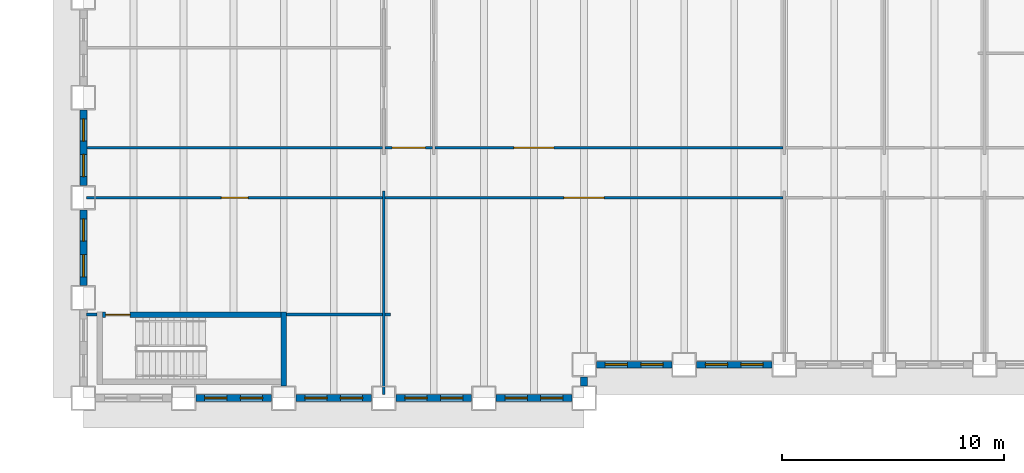
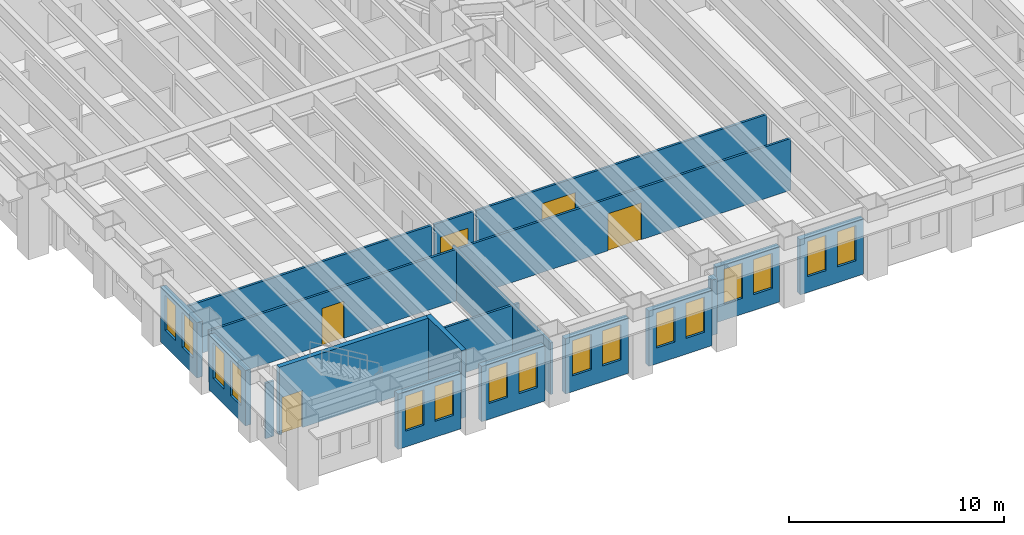
# One storey, part 3 of 15: 20 walls, 16 windows, 5 doors, 21 openings.
"""IFC4 building model written with IfcOpenShell, lengths in metres."""

import ifcopenshell
import ifcopenshell.guid

model = None  # the IFC model being written
_history = None  # IfcOwnerHistory: only IFC2X3 demands one
_inside = {}  # id of a spatial element -> (the spatial element, [elements in it])
_under = {}  # id of a project, library or spatial element -> (it, [spatial elements below it])
_declared = {}  # id of a project -> (the project, [libraries it declares])
_typed = {}  # id of a type object -> (the type object, [elements of that type])
_made_of = {}  # id of a material, layer set ... -> (it, [elements and type objects made of it])


def new_model(schema):
    """Start an empty IFC model of exactly this schema.

    Asked for "IFC4X3", IfcOpenShell would pick the latest addendum, in which some entities
    have other attributes; the version numbers below select the first issue.
    IFC2X3 requires an IfcOwnerHistory on every rooted entity: one is made here for all.
    """
    global model, _history
    if schema == "IFC4X3":
        model = ifcopenshell.file(schema_version=(4, 3, 0, 0))
    else:
        model = ifcopenshell.file(schema=schema)
    _inside.clear()
    _under.clear()
    _declared.clear()
    _typed.clear()
    _made_of.clear()
    _history = None
    if model.schema == "IFC2X3":
        org = make("IfcOrganization", Name="unknown")
        user = make(
            "IfcPersonAndOrganization",
            ThePerson=make("IfcPerson", FamilyName="unknown"),
            TheOrganization=org,
        )
        app = make(
            "IfcApplication",
            ApplicationDeveloper=org,
            Version="unknown",
            ApplicationFullName="unknown",
            ApplicationIdentifier="unknown",
        )
        _history = make(
            "IfcOwnerHistory",
            OwningUser=user,
            OwningApplication=app,
            ChangeAction="ADDED",
            CreationDate=0,
        )
    return model


def make(cls, **values):
    """One entity of the class cls with the attributes given. An attribute that is None is left unset."""
    return model.create_entity(
        cls, **{name: value for name, value in values.items() if value is not None}
    )


def rooted(cls, **values):
    """An entity with a GlobalId (a new one), such as an element, a storey or a relation."""
    return make(cls, GlobalId=ifcopenshell.guid.new(), OwnerHistory=_history, **values)


def si_unit(unit_type, name, prefix=None):
    """IfcSIUnit, for example si_unit("LENGTHUNIT", "METRE", prefix="MILLI")."""
    return make("IfcSIUnit", UnitType=unit_type, Prefix=prefix, Name=name)


def assignment(units):
    """IfcUnitAssignment: the units of a project."""
    return None if units is None else make("IfcUnitAssignment", Units=units)


def point(xyz):
    """IfcCartesianPoint."""
    return None if xyz is None else make("IfcCartesianPoint", Coordinates=xyz)


def direction(xyz):
    """IfcDirection."""
    return None if xyz is None else make("IfcDirection", DirectionRatios=xyz)


def frame(location, z_axis=None, x_axis=None):
    """IfcAxis2Placement3D, a coordinate frame: its origin and axes. An axis left out is left unset."""
    return make(
        "IfcAxis2Placement3D",
        Location=point(location),
        Axis=direction(z_axis),
        RefDirection=direction(x_axis),
    )


def frame_2d(location, x_axis=None):
    """IfcAxis2Placement2D, a coordinate frame in the plane: its origin and x axis."""
    return make(
        "IfcAxis2Placement2D", Location=point(location), RefDirection=direction(x_axis)
    )


def origin():
    """The frame at (0, 0, 0) with its axes left unset."""
    return frame((0.0, 0.0, 0.0))


def place(relative_to, where):
    """IfcLocalPlacement: puts the frame where relative to a parent placement (None: the world)."""
    return make(
        "IfcLocalPlacement", PlacementRelTo=relative_to, RelativePlacement=where
    )


def context(
    kind, dimensions, precision=None, world=None, true_north=None, identifier=None
):
    """IfcGeometricRepresentationContext, for example the 3D "Model" context."""
    return make(
        "IfcGeometricRepresentationContext",
        ContextIdentifier=identifier,
        ContextType=kind,
        CoordinateSpaceDimension=dimensions,
        Precision=precision,
        WorldCoordinateSystem=world,
        TrueNorth=true_north,
    )


def subcontext(parent, identifier, kind, view, scale=None):
    """IfcGeometricRepresentationSubContext, for example "Body" below "Model"."""
    return make(
        "IfcGeometricRepresentationSubContext",
        ContextIdentifier=identifier,
        ContextType=kind,
        ParentContext=parent,
        TargetScale=scale,
        TargetView=view,
    )


def project(units=None, contexts=None):
    """IfcProject with its units and contexts."""
    return rooted(
        "IfcProject",
        Name="project",
        RepresentationContexts=contexts,
        UnitsInContext=assignment(units),
    )


def spatial(cls, under=None, at=None, **own):
    """A site, building, storey or space (cls), placed at a placement, below another one or the project."""
    s = rooted(cls, ObjectPlacement=at, **own)
    if under is not None:
        _under.setdefault(under.id(), (under, []))[1].append(s)
    return s


def profile(cls, at=None, kind="AREA", **sizes):
    """A parametric profile (cls). Its sizes go by their IFC names, for example OverallWidth=200.0."""
    return make(cls, ProfileType=kind, Position=at, **sizes)


def rectangle(**sizes):
    """IfcRectangleProfileDef."""
    return profile("IfcRectangleProfileDef", **sizes)


def extrude(swept, where, along, depth):
    """IfcExtrudedAreaSolid: the profile swept, set in the frame where, extruded along a direction by depth."""
    return make(
        "IfcExtrudedAreaSolid",
        SweptArea=swept,
        Position=where,
        ExtrudedDirection=direction(along),
        Depth=depth,
    )


def shape(context_of_items, identifier, shape_type, items):
    """IfcShapeRepresentation: the items that make up one representation, for example the "Body"."""
    return make(
        "IfcShapeRepresentation",
        ContextOfItems=context_of_items,
        RepresentationIdentifier=identifier,
        RepresentationType=shape_type,
        Items=items,
    )


def material(Name=None, Category=None):
    """IfcMaterial."""
    return make("IfcMaterial", Name=Name, Category=Category)


def layer(
    of_material, thickness, ventilated=None, Name=None, Category=None, Priority=None
):
    """IfcMaterialLayer: one layer of a wall or slab, of a material (None: an air gap)."""
    return make(
        "IfcMaterialLayer",
        Material=of_material,
        LayerThickness=thickness,
        IsVentilated=ventilated,
        Name=Name,
        Category=Category,
        Priority=Priority,
    )


def layer_set(layers, Name=None):
    """IfcMaterialLayerSet."""
    return make("IfcMaterialLayerSet", MaterialLayers=layers, LayerSetName=Name)


def made_of(thing, what):
    """Note that an element or type object is made of a material, layer set ...; save() writes the relation."""
    if what is not None:
        _made_of.setdefault(what.id(), (what, []))[1].append(thing)
    return thing


def type_object(cls, material=None, **own):
    """A type object (cls), such as IfcWallType, which elements share."""
    return made_of(rooted(cls, **own), material)


def element(
    cls,
    number,
    at=None,
    inside=None,
    cuts=None,
    type_object=None,
    material=None,
    context=None,
    identifier="Body",
    shape_type=None,
    held_by="IfcProductDefinitionShape",
    body=None,
    shapes=None,
    **own,
):
    """One element of the class cls, such as IfcWall. Its Tag is "e" and its number.

    at: its placement. inside: the storey or other place that contains it. cuts: it is an
    opening in that element (IfcRelVoidsElement). A single representation is given by context,
    identifier, shape_type and body (its items); several are given by shapes. held_by: the class
    of the entity that holds the representations. save() writes the other relations.
    """
    e = rooted(cls, Tag="e%d" % number, ObjectPlacement=at, **own)
    if body is not None:
        shapes = [shape(context, identifier, shape_type, body)]
    if shapes is not None:
        e.Representation = make(held_by, Representations=shapes)
    if inside is not None:
        _inside.setdefault(inside.id(), (inside, []))[1].append(e)
    if cuts is not None:
        rooted(
            "IfcRelVoidsElement", RelatingBuildingElement=cuts, RelatedOpeningElement=e
        )
    if type_object is not None:
        _typed.setdefault(type_object.id(), (type_object, []))[1].append(e)
    return made_of(e, material)


def fill(opening, filler):
    """IfcRelFillsElement: the door or window that sits in an opening."""
    return rooted(
        "IfcRelFillsElement",
        RelatingOpeningElement=opening,
        RelatedBuildingElement=filler,
    )


def aggregate(whole, parts):
    """IfcRelAggregates: a whole, such as a stair, and the parts it consists of."""
    return rooted("IfcRelAggregates", RelatingObject=whole, RelatedObjects=parts)


def save(model, path):
    """Write the relations noted so far, then the file.

    IfcRelAggregates (storeys below a building ...), IfcRelContainedInSpatialStructure (elements
    in a storey), IfcRelDefinesByType, IfcRelAssociatesMaterial and IfcRelDeclares: one each for
    every whole, place, type object, material and project.
    """
    for whole, parts in _under.values():
        aggregate(whole, parts)
    for where, things in _inside.values():
        rooted(
            "IfcRelContainedInSpatialStructure",
            RelatedElements=things,
            RelatingStructure=where,
        )
    for kind, things in _typed.values():
        rooted("IfcRelDefinesByType", RelatedObjects=things, RelatingType=kind)
    for what, things in _made_of.values():
        rooted("IfcRelAssociatesMaterial", RelatedObjects=things, RelatingMaterial=what)
    for by, libraries in _declared.values():
        rooted("IfcRelDeclares", RelatingContext=by, RelatedDefinitions=libraries)
    model.write(path)


model = new_model("IFC4")

# Units and contexts
model_context = context("Model", 3, precision=1e-05, world=origin(), true_north=direction((0.0, 1.0)))
body_context = subcontext(model_context, "Body", "Model", "MODEL_VIEW")
ifc_project = project(units=[si_unit("LENGTHUNIT", "METRE"), si_unit("AREAUNIT", "SQUARE_METRE"), si_unit("VOLUMEUNIT", "CUBIC_METRE"), si_unit("PLANEANGLEUNIT", "RADIAN"), si_unit("MASSUNIT", "GRAM", prefix="KILO")], contexts=[model_context])

# Site, building, storey
site_placement = place(None, origin())
site = spatial("IfcSite", under=ifc_project, at=site_placement, CompositionType="ELEMENT")
building_placement = place(site_placement, origin())
building = spatial("IfcBuilding", under=site, at=building_placement, Name="Sennacour Bend Tower", CompositionType="ELEMENT")
storey_placement = place(building_placement, frame((0.0, 0.0, 61.0)))
storey = spatial("IfcBuildingStorey", under=building, at=storey_placement, Name="L13", CompositionType="ELEMENT", Elevation=61.0)

# Walls
ifc_material_1 = material(Name="Plasterboard partition on steel studs", Category="steel")
ifc_layer_1 = layer(ifc_material_1, 0.1201171875, Name="Plasterboard partition on steel studs", Category="steel")
ifc_layer_set_1 = layer_set([ifc_layer_1], Name="Plasterboard partition on steel studs")
wall_type_1 = type_object("IfcWallType", Name="Partition 120", PredefinedType="PARTITIONING", material=ifc_layer_set_1)
wall_1_placement = place(storey_placement, frame((13.5, 0.14990234375, 0.0), z_axis=(0.0, 0.0, 1.0), x_axis=(0.0, 1.0, 0.0)))
element("IfcWall", 1, at=wall_1_placement, inside=storey, type_object=wall_type_1, Name="P-L13-W012a", PredefinedType="PARTITIONING", context=body_context, shape_type="SweptSolid", body=[
    extrude(rectangle(XDim=9.150146484375, YDim=0.1201171875, at=frame_2d((4.5751953125, 0.0))), origin(), (0.0, 0.0, 1.0), 2.93798828125),
])
wall_2_placement = place(storey_placement, frame((0.14990234375, 3.75, 0.0), z_axis=(0.0, 0.0, 1.0), x_axis=(1.0, 0.0, 0.0)))
element("IfcWall", 2, at=wall_2_placement, inside=storey, type_object=wall_type_1, Name="P-L13-W045a", PredefinedType="PARTITIONING", context=body_context, shape_type="SweptSolid", body=[
    extrude(rectangle(XDim=0.4501953125, YDim=0.1201171875, at=frame_2d((0.22509765625, 0.0))), origin(), (0.0, 0.0, 1.0), 3.14404296875),
])
wall_3_placement = place(storey_placement, frame((9.125, 3.75, 0.0), z_axis=(0.0, 0.0, 1.0), x_axis=(1.0, 0.0, 0.0)))
element("IfcWall", 3, at=wall_3_placement, inside=storey, type_object=wall_type_1, Name="P-L13-W047aa", PredefinedType="PARTITIONING", context=body_context, shape_type="SweptSolid", body=[
    extrude(rectangle(XDim=4.31494140625, YDim=0.1201171875, at=frame_2d((2.157470703125, 0.0))), origin(), (0.0, 0.0, 1.0), 2.93798828125),
])
wall_4_placement = place(storey_placement, frame((13.56005859375, 3.75, 0.0), z_axis=(0.0, 0.0, 1.0), x_axis=(1.0, 0.0, 0.0)))
element("IfcWall", 4, at=wall_4_placement, inside=storey, type_object=wall_type_1, Name="P-L13-W047ab", PredefinedType="PARTITIONING", context=body_context, shape_type="SweptSolid", body=[
    extrude(rectangle(XDim=0.239990234375, YDim=0.1201171875, at=frame_2d((0.1201171875, 0.0))), origin(), (0.0, 0.0, 1.0), 2.93798828125),
])

# Wall, opening, door
wall_5_placement = place(storey_placement, frame((13.56005859375, 9.0, 0.0), z_axis=(0.0, 0.0, 1.0), x_axis=(1.0, 0.0, 0.0)))
wall_5 = element("IfcWall", 5, at=wall_5_placement, inside=storey, type_object=wall_type_1, Name="P-L13-W051ab", PredefinedType="PARTITIONING", context=body_context, shape_type="SweptSolid", body=[
    extrude(rectangle(XDim=17.8798828125, YDim=0.1201171875, at=frame_2d((8.93994140625, 0.0))), origin(), (0.0, 0.0, 1.0), 2.93798828125),
])
opening_1_placement = place(wall_5_placement, frame((8.039794921875, 0.0, 0.0)))
opening_1 = element("IfcOpeningElement", 6, at=opening_1_placement, cuts=wall_5, Name="Opening OD3", PredefinedType="OPENING", context=body_context, shape_type="SweptSolid", body=[
    extrude(rectangle(XDim=1.800048828125, YDim=2.10009765625, at=frame_2d((0.89990234375, 1.050048828125))), frame((0.0, 0.070068359375, 0.0), z_axis=(0.0, -1.0, 0.0), x_axis=(1.0, 0.0, 0.0)), (0.0, 0.0, 1.0), 0.14013671875),
])
ifc_material_2 = material(Name="Timber", Category="wood")
door_type_1 = type_object("IfcDoorType", Name="DR-OFFICE-1800", OperationType="NOTDEFINED", PredefinedType="DOOR", material=ifc_material_2)
door_1_placement = place(opening_1_placement, origin())
door_1 = element("IfcDoor", 7, at=door_1_placement, inside=storey, type_object=door_type_1, Name="Door", OperationType="DOUBLE_DOOR_SINGLE_SWING", OverallHeight=2.10009765625, OverallWidth=1.800048828125, PredefinedType="DOOR", context=body_context, shape_type="SweptSolid", body=[
    extrude(rectangle(XDim=1.800048828125, YDim=2.10009765625, at=frame_2d((0.89990234375, 1.050048828125))), frame((0.0, 0.02490234375, 0.0), z_axis=(0.0, -1.0, 0.0), x_axis=(1.0, 0.0, 0.0)), (0.0, 0.0, 1.0), 0.050048828125),
])
fill(opening_1, door_1)

# Wall
wall_6_placement = place(storey_placement, frame((0.14990234375, 11.25, 0.0), z_axis=(0.0, 0.0, 1.0), x_axis=(1.0, 0.0, 0.0)))
element("IfcWall", 8, at=wall_6_placement, inside=storey, type_object=wall_type_1, Name="P-L13-W053aa", PredefinedType="PARTITIONING", context=body_context, shape_type="SweptSolid", body=[
    extrude(rectangle(XDim=13.2900390625, YDim=0.1201171875, at=frame_2d((6.64501953125, 0.0))), origin(), (0.0, 0.0, 1.0), 2.93798828125),
])

# Wall, opening, door
wall_7_placement = place(storey_placement, frame((15.81005859375, 11.25, 0.0), z_axis=(0.0, 0.0, 1.0), x_axis=(1.0, 0.0, 0.0)))
wall_7 = element("IfcWall", 9, at=wall_7_placement, inside=storey, type_object=wall_type_1, Name="P-L13-W053ac", PredefinedType="PARTITIONING", context=body_context, shape_type="SweptSolid", body=[
    extrude(rectangle(XDim=15.6298828125, YDim=0.1201171875, at=frame_2d((7.81494140625, 0.0))), origin(), (0.0, 0.0, 1.0), 2.93798828125),
])
opening_2_placement = place(wall_7_placement, frame((3.539794921875, 0.0, 0.0)))
opening_2 = element("IfcOpeningElement", 10, at=opening_2_placement, cuts=wall_7, Name="Opening OD3", PredefinedType="OPENING", context=body_context, shape_type="SweptSolid", body=[
    extrude(rectangle(XDim=1.800048828125, YDim=2.10009765625, at=frame_2d((0.89990234375, 1.050048828125))), frame((0.0, 0.070068359375, 0.0), z_axis=(0.0, -1.0, 0.0), x_axis=(1.0, 0.0, 0.0)), (0.0, 0.0, 1.0), 0.14013671875),
])
door_2_placement = place(opening_2_placement, origin())
door_2 = element("IfcDoor", 11, at=door_2_placement, inside=storey, type_object=door_type_1, Name="Door", OperationType="DOUBLE_DOOR_SINGLE_SWING", OverallHeight=2.10009765625, OverallWidth=1.800048828125, PredefinedType="DOOR", context=body_context, shape_type="SweptSolid", body=[
    extrude(rectangle(XDim=1.800048828125, YDim=2.10009765625, at=frame_2d((0.89990234375, 1.050048828125))), frame((0.0, 0.02490234375, 0.0), z_axis=(0.0, -1.0, 0.0), x_axis=(1.0, 0.0, 0.0)), (0.0, 0.0, 1.0), 0.050048828125),
])
fill(opening_2, door_2)

ifc_layer_2 = layer(ifc_material_1, 0.1201171875, Name="Plasterboard partition on steel studs", Category="steel")
ifc_layer_set_2 = layer_set([ifc_layer_2], Name="Plasterboard partition on steel studs")
wall_type_2 = type_object("IfcWallType", Name="Partition 120 EI 30", PredefinedType="PARTITIONING", material=ifc_layer_set_2)
wall_8_placement = place(storey_placement, frame((0.14990234375, 9.0, 0.0), z_axis=(0.0, 0.0, 1.0), x_axis=(1.0, 0.0, 0.0)))
wall_8 = element("IfcWall", 12, at=wall_8_placement, inside=storey, type_object=wall_type_2, Name="P-L13-W051aa", PredefinedType="PARTITIONING", context=body_context, shape_type="SweptSolid", body=[
    extrude(rectangle(XDim=13.2900390625, YDim=0.1201171875, at=frame_2d((6.64501953125, 0.0))), origin(), (0.0, 0.0, 1.0), 2.93798828125),
])
opening_3_placement = place(wall_8_placement, frame((6.05517578125, 0.0, 0.0)))
opening_3 = element("IfcOpeningElement", 13, at=opening_3_placement, cuts=wall_8, Name="Opening KD2", PredefinedType="OPENING", context=body_context, shape_type="SweptSolid", body=[
    extrude(rectangle(XDim=1.199951171875, YDim=2.10009765625, at=frame_2d((0.60009765625, 1.050048828125))), frame((0.0, 0.070068359375, 0.0), z_axis=(0.0, -1.0, 0.0), x_axis=(1.0, 0.0, 0.0)), (0.0, 0.0, 1.0), 0.14013671875),
])
ifc_material_3 = material(Name="Painted steel", Category="steel")
door_type_2 = type_object("IfcDoorType", Name="DR-CORRIDOR-1200", OperationType="NOTDEFINED", PredefinedType="DOOR", material=ifc_material_3)
door_3_placement = place(opening_3_placement, origin())
door_3 = element("IfcDoor", 14, at=door_3_placement, inside=storey, type_object=door_type_2, Name="Door", OperationType="SINGLE_SWING_LEFT", OverallHeight=2.10009765625, OverallWidth=1.199951171875, PredefinedType="DOOR", context=body_context, shape_type="SweptSolid", body=[
    extrude(rectangle(XDim=1.199951171875, YDim=2.10009765625, at=frame_2d((0.60009765625, 1.050048828125))), frame((0.0, 0.02490234375, 0.0), z_axis=(0.0, -1.0, 0.0), x_axis=(1.0, 0.0, 0.0)), (0.0, 0.0, 1.0), 0.050048828125),
])
fill(opening_3, door_3)

wall_9_placement = place(storey_placement, frame((13.56005859375, 11.25, 0.0), z_axis=(0.0, 0.0, 1.0), x_axis=(1.0, 0.0, 0.0)))
wall_9 = element("IfcWall", 15, at=wall_9_placement, inside=storey, type_object=wall_type_2, Name="P-L13-W053ab", PredefinedType="PARTITIONING", context=body_context, shape_type="SweptSolid", body=[
    extrude(rectangle(XDim=2.1298828125, YDim=0.1201171875, at=frame_2d((1.06494140625, 0.0))), origin(), (0.0, 0.0, 1.0), 2.93798828125),
])
opening_4_placement = place(wall_9_placement, frame((0.31494140625, 0.0, 0.0)))
opening_4 = element("IfcOpeningElement", 16, at=opening_4_placement, cuts=wall_9, Name="Opening KD", PredefinedType="OPENING", context=body_context, shape_type="SweptSolid", body=[
    extrude(rectangle(XDim=1.5, YDim=2.10009765625, at=frame_2d((0.75, 1.050048828125))), frame((0.0, 0.070068359375, 0.0), z_axis=(0.0, -1.0, 0.0), x_axis=(1.0, 0.0, 0.0)), (0.0, 0.0, 1.0), 0.14013671875),
])
door_type_3 = type_object("IfcDoorType", Name="DR-CORRIDOR-1500", OperationType="NOTDEFINED", PredefinedType="DOOR", material=ifc_material_3)
door_4_placement = place(opening_4_placement, origin())
door_4 = element("IfcDoor", 17, at=door_4_placement, inside=storey, type_object=door_type_3, Name="Door", OperationType="SINGLE_SWING_LEFT", OverallHeight=2.10009765625, OverallWidth=1.5, PredefinedType="DOOR", context=body_context, shape_type="SweptSolid", body=[
    extrude(rectangle(XDim=1.5, YDim=2.10009765625, at=frame_2d((0.75, 1.050048828125))), frame((0.0, 0.02490234375, 0.0), z_axis=(0.0, -1.0, 0.0), x_axis=(1.0, 0.0, 0.0)), (0.0, 0.0, 1.0), 0.050048828125),
])
fill(opening_4, door_4)

# Wall, openings, windows
ifc_material_4 = material(Name="Warm limestone cladding", Category="masonry")
ifc_layer_3 = layer(ifc_material_4, 0.050048828125, Name="Warm limestone cladding", Category="masonry")
ifc_material_5 = material(Name="Precast concrete C40/50", Category="concrete")
ifc_layer_4 = layer(ifc_material_5, 0.25, Name="Precast concrete C40/50", Category="concrete")
ifc_layer_set_3 = layer_set([ifc_layer_3, ifc_layer_4], Name="Precast concrete C40/50 with limestone cladding")
wall_type_3 = type_object("IfcWallType", Name="STONE-CLAD PRECAST SPANDREL 300", PredefinedType="STANDARD", material=ifc_layer_set_3)
wall_10_placement = place(storey_placement, frame((5.050048828125, 0.0, 0.0), z_axis=(0.0, 0.0, 1.0), x_axis=(1.0, 0.0, 0.0)))
wall_10 = element("IfcWall", 18, at=wall_10_placement, inside=storey, type_object=wall_type_3, Name="Stone spandrel and pier wall L13 00.01", PredefinedType="STANDARD", context=body_context, shape_type="SweptSolid", body=[
    extrude(rectangle(XDim=3.39990234375, YDim=0.300048828125, at=frame_2d((1.699951171875, 0.0))), origin(), (0.0, 0.0, 1.0), 3.14404296875),
])
opening_5_placement = place(wall_10_placement, frame((0.39990234375, 0.0, 0.89990234375)))
opening_5 = element("IfcOpeningElement", 19, at=opening_5_placement, cuts=wall_10, Name="Opening W8", PredefinedType="OPENING", context=body_context, shape_type="SweptSolid", body=[
    extrude(rectangle(XDim=1.0, YDim=2.0, at=frame_2d((0.5, 1.0))), frame((0.0, 0.16015625, 0.0), z_axis=(0.0, -1.0, 0.0), x_axis=(1.0, 0.0, 0.0)), (0.0, 0.0, 1.0), 0.320068359375),
])
opening_6_placement = place(wall_10_placement, frame((2.0, 0.0, 0.89990234375)))
opening_6 = element("IfcOpeningElement", 20, at=opening_6_placement, cuts=wall_10, Name="Opening W8", PredefinedType="OPENING", context=body_context, shape_type="SweptSolid", body=[
    extrude(rectangle(XDim=1.0, YDim=2.0, at=frame_2d((0.5, 1.0))), frame((0.0, 0.16015625, 0.0), z_axis=(0.0, -1.0, 0.0), x_axis=(1.0, 0.0, 0.0)), (0.0, 0.0, 1.0), 0.320068359375),
])
ifc_material_6 = material(Name="Clear low-emissivity glass", Category="glass")
window_type = type_object("IfcWindowType", Name="WIN-RIBBON-1000x2000", PartitioningType="SINGLE_PANEL", PredefinedType="WINDOW", material=ifc_material_6)
window_1_placement = place(opening_5_placement, origin())
window_1 = element("IfcWindow", 21, at=window_1_placement, inside=storey, type_object=window_type, Name="Ribbon window L13 00.01.0", OverallHeight=2.0, OverallWidth=1.0, PartitioningType="SINGLE_PANEL", PredefinedType="WINDOW", context=body_context, shape_type="SweptSolid", body=[
    extrude(rectangle(XDim=1.0, YDim=2.0, at=frame_2d((0.5, 1.0))), frame((0.0, 0.030029296875, 0.0), z_axis=(0.0, -1.0, 0.0), x_axis=(1.0, 0.0, 0.0)), (0.0, 0.0, 1.0), 0.06005859375),
])
fill(opening_5, window_1)
window_2_placement = place(opening_6_placement, origin())
window_2 = element("IfcWindow", 22, at=window_2_placement, inside=storey, type_object=window_type, Name="Ribbon window L13 00.01.1", OverallHeight=2.0, OverallWidth=1.0, PartitioningType="SINGLE_PANEL", PredefinedType="WINDOW", context=body_context, shape_type="SweptSolid", body=[
    extrude(rectangle(XDim=1.0, YDim=2.0, at=frame_2d((0.5, 1.0))), frame((0.0, 0.030029296875, 0.0), z_axis=(0.0, -1.0, 0.0), x_axis=(1.0, 0.0, 0.0)), (0.0, 0.0, 1.0), 0.06005859375),
])
fill(opening_6, window_2)

wall_11_placement = place(storey_placement, frame((9.550048828125, 0.0, 0.0), z_axis=(0.0, 0.0, 1.0), x_axis=(1.0, 0.0, 0.0)))
wall_11 = element("IfcWall", 23, at=wall_11_placement, inside=storey, type_object=wall_type_3, Name="Stone spandrel and pier wall L13 00.02", PredefinedType="STANDARD", context=body_context, shape_type="SweptSolid", body=[
    extrude(rectangle(XDim=3.39990234375, YDim=0.300048828125, at=frame_2d((1.699951171875, 0.0))), origin(), (0.0, 0.0, 1.0), 3.14404296875),
])
opening_7_placement = place(wall_11_placement, frame((0.39990234375, 0.0, 0.89990234375)))
opening_7 = element("IfcOpeningElement", 24, at=opening_7_placement, cuts=wall_11, Name="Opening W8", PredefinedType="OPENING", context=body_context, shape_type="SweptSolid", body=[
    extrude(rectangle(XDim=1.0, YDim=2.0, at=frame_2d((0.5, 1.0))), frame((0.0, 0.16015625, 0.0), z_axis=(0.0, -1.0, 0.0), x_axis=(1.0, 0.0, 0.0)), (0.0, 0.0, 1.0), 0.320068359375),
])
opening_8_placement = place(wall_11_placement, frame((2.0, 0.0, 0.89990234375)))
opening_8 = element("IfcOpeningElement", 25, at=opening_8_placement, cuts=wall_11, Name="Opening W8", PredefinedType="OPENING", context=body_context, shape_type="SweptSolid", body=[
    extrude(rectangle(XDim=1.0, YDim=2.0, at=frame_2d((0.5, 1.0))), frame((0.0, 0.16015625, 0.0), z_axis=(0.0, -1.0, 0.0), x_axis=(1.0, 0.0, 0.0)), (0.0, 0.0, 1.0), 0.320068359375),
])
window_3_placement = place(opening_7_placement, origin())
window_3 = element("IfcWindow", 26, at=window_3_placement, inside=storey, type_object=window_type, Name="Ribbon window L13 00.02.0", OverallHeight=2.0, OverallWidth=1.0, PartitioningType="SINGLE_PANEL", PredefinedType="WINDOW", context=body_context, shape_type="SweptSolid", body=[
    extrude(rectangle(XDim=1.0, YDim=2.0, at=frame_2d((0.5, 1.0))), frame((0.0, 0.030029296875, 0.0), z_axis=(0.0, -1.0, 0.0), x_axis=(1.0, 0.0, 0.0)), (0.0, 0.0, 1.0), 0.06005859375),
])
fill(opening_7, window_3)
window_4_placement = place(opening_8_placement, origin())
window_4 = element("IfcWindow", 27, at=window_4_placement, inside=storey, type_object=window_type, Name="Ribbon window L13 00.02.1", OverallHeight=2.0, OverallWidth=1.0, PartitioningType="SINGLE_PANEL", PredefinedType="WINDOW", context=body_context, shape_type="SweptSolid", body=[
    extrude(rectangle(XDim=1.0, YDim=2.0, at=frame_2d((0.5, 1.0))), frame((0.0, 0.030029296875, 0.0), z_axis=(0.0, -1.0, 0.0), x_axis=(1.0, 0.0, 0.0)), (0.0, 0.0, 1.0), 0.06005859375),
])
fill(opening_8, window_4)

wall_12_placement = place(storey_placement, frame((14.050048828125, 0.0, 0.0), z_axis=(0.0, 0.0, 1.0), x_axis=(1.0, 0.0, 0.0)))
wall_12 = element("IfcWall", 28, at=wall_12_placement, inside=storey, type_object=wall_type_3, Name="Stone spandrel and pier wall L13 00.03", PredefinedType="STANDARD", context=body_context, shape_type="SweptSolid", body=[
    extrude(rectangle(XDim=3.39990234375, YDim=0.300048828125, at=frame_2d((1.699951171875, 0.0))), origin(), (0.0, 0.0, 1.0), 3.14404296875),
])
opening_9_placement = place(wall_12_placement, frame((0.39990234375, 0.0, 0.89990234375)))
opening_9 = element("IfcOpeningElement", 29, at=opening_9_placement, cuts=wall_12, Name="Opening W8", PredefinedType="OPENING", context=body_context, shape_type="SweptSolid", body=[
    extrude(rectangle(XDim=1.0, YDim=2.0, at=frame_2d((0.5, 1.0))), frame((0.0, 0.16015625, 0.0), z_axis=(0.0, -1.0, 0.0), x_axis=(1.0, 0.0, 0.0)), (0.0, 0.0, 1.0), 0.320068359375),
])
opening_10_placement = place(wall_12_placement, frame((2.0, 0.0, 0.89990234375)))
opening_10 = element("IfcOpeningElement", 30, at=opening_10_placement, cuts=wall_12, Name="Opening W8", PredefinedType="OPENING", context=body_context, shape_type="SweptSolid", body=[
    extrude(rectangle(XDim=1.0, YDim=2.0, at=frame_2d((0.5, 1.0))), frame((0.0, 0.16015625, 0.0), z_axis=(0.0, -1.0, 0.0), x_axis=(1.0, 0.0, 0.0)), (0.0, 0.0, 1.0), 0.320068359375),
])
window_5_placement = place(opening_9_placement, origin())
window_5 = element("IfcWindow", 31, at=window_5_placement, inside=storey, type_object=window_type, Name="Ribbon window L13 00.03.0", OverallHeight=2.0, OverallWidth=1.0, PartitioningType="SINGLE_PANEL", PredefinedType="WINDOW", context=body_context, shape_type="SweptSolid", body=[
    extrude(rectangle(XDim=1.0, YDim=2.0, at=frame_2d((0.5, 1.0))), frame((0.0, 0.030029296875, 0.0), z_axis=(0.0, -1.0, 0.0), x_axis=(1.0, 0.0, 0.0)), (0.0, 0.0, 1.0), 0.06005859375),
])
fill(opening_9, window_5)
window_6_placement = place(opening_10_placement, origin())
window_6 = element("IfcWindow", 32, at=window_6_placement, inside=storey, type_object=window_type, Name="Ribbon window L13 00.03.1", OverallHeight=2.0, OverallWidth=1.0, PartitioningType="SINGLE_PANEL", PredefinedType="WINDOW", context=body_context, shape_type="SweptSolid", body=[
    extrude(rectangle(XDim=1.0, YDim=2.0, at=frame_2d((0.5, 1.0))), frame((0.0, 0.030029296875, 0.0), z_axis=(0.0, -1.0, 0.0), x_axis=(1.0, 0.0, 0.0)), (0.0, 0.0, 1.0), 0.06005859375),
])
fill(opening_10, window_6)

wall_13_placement = place(storey_placement, frame((18.550048828125, 0.0, 0.0), z_axis=(0.0, 0.0, 1.0), x_axis=(1.0, 0.0, 0.0)))
wall_13 = element("IfcWall", 33, at=wall_13_placement, inside=storey, type_object=wall_type_3, Name="Stone spandrel and pier wall L13 00.04", PredefinedType="STANDARD", context=body_context, shape_type="SweptSolid", body=[
    extrude(rectangle(XDim=3.39990234375, YDim=0.300048828125, at=frame_2d((1.699951171875, 0.0))), origin(), (0.0, 0.0, 1.0), 3.14404296875),
])
opening_11_placement = place(wall_13_placement, frame((0.39990234375, 0.0, 0.89990234375)))
opening_11 = element("IfcOpeningElement", 34, at=opening_11_placement, cuts=wall_13, Name="Opening W8", PredefinedType="OPENING", context=body_context, shape_type="SweptSolid", body=[
    extrude(rectangle(XDim=1.0, YDim=2.0, at=frame_2d((0.5, 1.0))), frame((0.0, 0.16015625, 0.0), z_axis=(0.0, -1.0, 0.0), x_axis=(1.0, 0.0, 0.0)), (0.0, 0.0, 1.0), 0.320068359375),
])
opening_12_placement = place(wall_13_placement, frame((2.0, 0.0, 0.89990234375)))
opening_12 = element("IfcOpeningElement", 35, at=opening_12_placement, cuts=wall_13, Name="Opening W8", PredefinedType="OPENING", context=body_context, shape_type="SweptSolid", body=[
    extrude(rectangle(XDim=1.0, YDim=2.0, at=frame_2d((0.5, 1.0))), frame((0.0, 0.16015625, 0.0), z_axis=(0.0, -1.0, 0.0), x_axis=(1.0, 0.0, 0.0)), (0.0, 0.0, 1.0), 0.320068359375),
])
window_7_placement = place(opening_11_placement, origin())
window_7 = element("IfcWindow", 36, at=window_7_placement, inside=storey, type_object=window_type, Name="Ribbon window L13 00.04.0", OverallHeight=2.0, OverallWidth=1.0, PartitioningType="SINGLE_PANEL", PredefinedType="WINDOW", context=body_context, shape_type="SweptSolid", body=[
    extrude(rectangle(XDim=1.0, YDim=2.0, at=frame_2d((0.5, 1.0))), frame((0.0, 0.030029296875, 0.0), z_axis=(0.0, -1.0, 0.0), x_axis=(1.0, 0.0, 0.0)), (0.0, 0.0, 1.0), 0.06005859375),
])
fill(opening_11, window_7)
window_8_placement = place(opening_12_placement, origin())
window_8 = element("IfcWindow", 37, at=window_8_placement, inside=storey, type_object=window_type, Name="Ribbon window L13 00.04.1", OverallHeight=2.0, OverallWidth=1.0, PartitioningType="SINGLE_PANEL", PredefinedType="WINDOW", context=body_context, shape_type="SweptSolid", body=[
    extrude(rectangle(XDim=1.0, YDim=2.0, at=frame_2d((0.5, 1.0))), frame((0.0, 0.030029296875, 0.0), z_axis=(0.0, -1.0, 0.0), x_axis=(1.0, 0.0, 0.0)), (0.0, 0.0, 1.0), 0.06005859375),
])
fill(opening_12, window_8)

# Wall
wall_14_placement = place(storey_placement, frame((22.5, 0.550048828125, 0.0), z_axis=(0.0, 0.0, 1.0), x_axis=(0.0, 1.0, 0.0)))
element("IfcWall", 38, at=wall_14_placement, inside=storey, type_object=wall_type_3, Name="Stone spandrel and pier wall L13 01.00", PredefinedType="STANDARD", context=body_context, shape_type="SweptSolid", body=[
    extrude(rectangle(XDim=0.39990234375, YDim=0.300048828125, at=frame_2d((0.199951171875, 0.0))), origin(), (0.0, 0.0, 1.0), 3.14404296875),
])

# Wall, openings, windows
wall_15_placement = place(storey_placement, frame((23.050048828125, 1.5, 0.0), z_axis=(0.0, 0.0, 1.0), x_axis=(1.0, 0.0, 0.0)))
wall_15 = element("IfcWall", 39, at=wall_15_placement, inside=storey, type_object=wall_type_3, Name="Stone spandrel and pier wall L13 02.00", PredefinedType="STANDARD", context=body_context, shape_type="SweptSolid", body=[
    extrude(rectangle(XDim=3.39990234375, YDim=0.300048828125, at=frame_2d((1.699951171875, 0.0))), origin(), (0.0, 0.0, 1.0), 3.14404296875),
])
opening_13_placement = place(wall_15_placement, frame((0.39990234375, 0.0, 0.89990234375)))
opening_13 = element("IfcOpeningElement", 40, at=opening_13_placement, cuts=wall_15, Name="Opening W8", PredefinedType="OPENING", context=body_context, shape_type="SweptSolid", body=[
    extrude(rectangle(XDim=1.0, YDim=2.0, at=frame_2d((0.5, 1.0))), frame((0.0, 0.16015625, 0.0), z_axis=(0.0, -1.0, 0.0), x_axis=(1.0, 0.0, 0.0)), (0.0, 0.0, 1.0), 0.320068359375),
])
opening_14_placement = place(wall_15_placement, frame((2.0, 0.0, 0.89990234375)))
opening_14 = element("IfcOpeningElement", 41, at=opening_14_placement, cuts=wall_15, Name="Opening W8", PredefinedType="OPENING", context=body_context, shape_type="SweptSolid", body=[
    extrude(rectangle(XDim=1.0, YDim=2.0, at=frame_2d((0.5, 1.0))), frame((0.0, 0.16015625, 0.0), z_axis=(0.0, -1.0, 0.0), x_axis=(1.0, 0.0, 0.0)), (0.0, 0.0, 1.0), 0.320068359375),
])
window_9_placement = place(opening_13_placement, origin())
window_9 = element("IfcWindow", 42, at=window_9_placement, inside=storey, type_object=window_type, Name="Ribbon window L13 02.00.0", OverallHeight=2.0, OverallWidth=1.0, PartitioningType="SINGLE_PANEL", PredefinedType="WINDOW", context=body_context, shape_type="SweptSolid", body=[
    extrude(rectangle(XDim=1.0, YDim=2.0, at=frame_2d((0.5, 1.0))), frame((0.0, 0.030029296875, 0.0), z_axis=(0.0, -1.0, 0.0), x_axis=(1.0, 0.0, 0.0)), (0.0, 0.0, 1.0), 0.06005859375),
])
fill(opening_13, window_9)
window_10_placement = place(opening_14_placement, origin())
window_10 = element("IfcWindow", 43, at=window_10_placement, inside=storey, type_object=window_type, Name="Ribbon window L13 02.00.1", OverallHeight=2.0, OverallWidth=1.0, PartitioningType="SINGLE_PANEL", PredefinedType="WINDOW", context=body_context, shape_type="SweptSolid", body=[
    extrude(rectangle(XDim=1.0, YDim=2.0, at=frame_2d((0.5, 1.0))), frame((0.0, 0.030029296875, 0.0), z_axis=(0.0, -1.0, 0.0), x_axis=(1.0, 0.0, 0.0)), (0.0, 0.0, 1.0), 0.06005859375),
])
fill(opening_14, window_10)

wall_16_placement = place(storey_placement, frame((27.550048828125, 1.5, 0.0), z_axis=(0.0, 0.0, 1.0), x_axis=(1.0, 0.0, 0.0)))
wall_16 = element("IfcWall", 44, at=wall_16_placement, inside=storey, type_object=wall_type_3, Name="Stone spandrel and pier wall L13 02.01", PredefinedType="STANDARD", context=body_context, shape_type="SweptSolid", body=[
    extrude(rectangle(XDim=3.39990234375, YDim=0.300048828125, at=frame_2d((1.699951171875, 0.0))), origin(), (0.0, 0.0, 1.0), 3.14404296875),
])
opening_15_placement = place(wall_16_placement, frame((0.39990234375, 0.0, 0.89990234375)))
opening_15 = element("IfcOpeningElement", 45, at=opening_15_placement, cuts=wall_16, Name="Opening W8", PredefinedType="OPENING", context=body_context, shape_type="SweptSolid", body=[
    extrude(rectangle(XDim=1.0, YDim=2.0, at=frame_2d((0.5, 1.0))), frame((0.0, 0.16015625, 0.0), z_axis=(0.0, -1.0, 0.0), x_axis=(1.0, 0.0, 0.0)), (0.0, 0.0, 1.0), 0.320068359375),
])
opening_16_placement = place(wall_16_placement, frame((2.0, 0.0, 0.89990234375)))
opening_16 = element("IfcOpeningElement", 46, at=opening_16_placement, cuts=wall_16, Name="Opening W8", PredefinedType="OPENING", context=body_context, shape_type="SweptSolid", body=[
    extrude(rectangle(XDim=1.0, YDim=2.0, at=frame_2d((0.5, 1.0))), frame((0.0, 0.16015625, 0.0), z_axis=(0.0, -1.0, 0.0), x_axis=(1.0, 0.0, 0.0)), (0.0, 0.0, 1.0), 0.320068359375),
])
window_11_placement = place(opening_15_placement, origin())
window_11 = element("IfcWindow", 47, at=window_11_placement, inside=storey, type_object=window_type, Name="Ribbon window L13 02.01.0", OverallHeight=2.0, OverallWidth=1.0, PartitioningType="SINGLE_PANEL", PredefinedType="WINDOW", context=body_context, shape_type="SweptSolid", body=[
    extrude(rectangle(XDim=1.0, YDim=2.0, at=frame_2d((0.5, 1.0))), frame((0.0, 0.030029296875, 0.0), z_axis=(0.0, -1.0, 0.0), x_axis=(1.0, 0.0, 0.0)), (0.0, 0.0, 1.0), 0.06005859375),
])
fill(opening_15, window_11)
window_12_placement = place(opening_16_placement, origin())
window_12 = element("IfcWindow", 48, at=window_12_placement, inside=storey, type_object=window_type, Name="Ribbon window L13 02.01.1", OverallHeight=2.0, OverallWidth=1.0, PartitioningType="SINGLE_PANEL", PredefinedType="WINDOW", context=body_context, shape_type="SweptSolid", body=[
    extrude(rectangle(XDim=1.0, YDim=2.0, at=frame_2d((0.5, 1.0))), frame((0.0, 0.030029296875, 0.0), z_axis=(0.0, -1.0, 0.0), x_axis=(1.0, 0.0, 0.0)), (0.0, 0.0, 1.0), 0.06005859375),
])
fill(opening_16, window_12)

wall_17_placement = place(storey_placement, frame((0.0, 12.949951171875, 0.0), z_axis=(0.0, 0.0, 1.0), x_axis=(0.0, -1.0, 0.0)))
wall_17 = element("IfcWall", 49, at=wall_17_placement, inside=storey, type_object=wall_type_3, Name="Stone spandrel and pier wall L13 23.02", PredefinedType="STANDARD", context=body_context, shape_type="SweptSolid", body=[
    extrude(rectangle(XDim=3.39990234375, YDim=0.300048828125, at=frame_2d((1.699951171875, 0.0))), origin(), (0.0, 0.0, 1.0), 3.14404296875),
])
opening_17_placement = place(wall_17_placement, frame((0.39990234375, 0.0, 0.89990234375)))
opening_17 = element("IfcOpeningElement", 50, at=opening_17_placement, cuts=wall_17, Name="Opening W8", PredefinedType="OPENING", context=body_context, shape_type="SweptSolid", body=[
    extrude(rectangle(XDim=1.0, YDim=2.0, at=frame_2d((0.5, 1.0))), frame((0.0, 0.16015625, 0.0), z_axis=(0.0, -1.0, 0.0), x_axis=(1.0, 0.0, 0.0)), (0.0, 0.0, 1.0), 0.320068359375),
])
opening_18_placement = place(wall_17_placement, frame((2.0, 0.0, 0.89990234375)))
opening_18 = element("IfcOpeningElement", 51, at=opening_18_placement, cuts=wall_17, Name="Opening W8", PredefinedType="OPENING", context=body_context, shape_type="SweptSolid", body=[
    extrude(rectangle(XDim=1.0, YDim=2.0, at=frame_2d((0.5, 1.0))), frame((0.0, 0.16015625, 0.0), z_axis=(0.0, -1.0, 0.0), x_axis=(1.0, 0.0, 0.0)), (0.0, 0.0, 1.0), 0.320068359375),
])
window_13_placement = place(opening_17_placement, origin())
window_13 = element("IfcWindow", 52, at=window_13_placement, inside=storey, type_object=window_type, Name="Ribbon window L13 23.02.0", OverallHeight=2.0, OverallWidth=1.0, PartitioningType="SINGLE_PANEL", PredefinedType="WINDOW", context=body_context, shape_type="SweptSolid", body=[
    extrude(rectangle(XDim=1.0, YDim=2.0, at=frame_2d((0.5, 1.0))), frame((0.0, 0.030029296875, 0.0), z_axis=(0.0, -1.0, 0.0), x_axis=(1.0, 0.0, 0.0)), (0.0, 0.0, 1.0), 0.06005859375),
])
fill(opening_17, window_13)
window_14_placement = place(opening_18_placement, origin())
window_14 = element("IfcWindow", 53, at=window_14_placement, inside=storey, type_object=window_type, Name="Ribbon window L13 23.02.1", OverallHeight=2.0, OverallWidth=1.0, PartitioningType="SINGLE_PANEL", PredefinedType="WINDOW", context=body_context, shape_type="SweptSolid", body=[
    extrude(rectangle(XDim=1.0, YDim=2.0, at=frame_2d((0.5, 1.0))), frame((0.0, 0.030029296875, 0.0), z_axis=(0.0, -1.0, 0.0), x_axis=(1.0, 0.0, 0.0)), (0.0, 0.0, 1.0), 0.06005859375),
])
fill(opening_18, window_14)

wall_18_placement = place(storey_placement, frame((0.0, 8.449951171875, 0.0), z_axis=(0.0, 0.0, 1.0), x_axis=(0.0, -1.0, 0.0)))
wall_18 = element("IfcWall", 54, at=wall_18_placement, inside=storey, type_object=wall_type_3, Name="Stone spandrel and pier wall L13 23.03", PredefinedType="STANDARD", context=body_context, shape_type="SweptSolid", body=[
    extrude(rectangle(XDim=3.39990234375, YDim=0.300048828125, at=frame_2d((1.699951171875, 0.0))), origin(), (0.0, 0.0, 1.0), 3.14404296875),
])
opening_19_placement = place(wall_18_placement, frame((0.39990234375, 0.0, 0.89990234375)))
opening_19 = element("IfcOpeningElement", 55, at=opening_19_placement, cuts=wall_18, Name="Opening W8", PredefinedType="OPENING", context=body_context, shape_type="SweptSolid", body=[
    extrude(rectangle(XDim=1.0, YDim=2.0, at=frame_2d((0.5, 1.0))), frame((0.0, 0.16015625, 0.0), z_axis=(0.0, -1.0, 0.0), x_axis=(1.0, 0.0, 0.0)), (0.0, 0.0, 1.0), 0.320068359375),
])
opening_20_placement = place(wall_18_placement, frame((2.0, 0.0, 0.89990234375)))
opening_20 = element("IfcOpeningElement", 56, at=opening_20_placement, cuts=wall_18, Name="Opening W8", PredefinedType="OPENING", context=body_context, shape_type="SweptSolid", body=[
    extrude(rectangle(XDim=1.0, YDim=2.0, at=frame_2d((0.5, 1.0))), frame((0.0, 0.16015625, 0.0), z_axis=(0.0, -1.0, 0.0), x_axis=(1.0, 0.0, 0.0)), (0.0, 0.0, 1.0), 0.320068359375),
])
window_15_placement = place(opening_19_placement, origin())
window_15 = element("IfcWindow", 57, at=window_15_placement, inside=storey, type_object=window_type, Name="Ribbon window L13 23.03.0", OverallHeight=2.0, OverallWidth=1.0, PartitioningType="SINGLE_PANEL", PredefinedType="WINDOW", context=body_context, shape_type="SweptSolid", body=[
    extrude(rectangle(XDim=1.0, YDim=2.0, at=frame_2d((0.5, 1.0))), frame((0.0, 0.030029296875, 0.0), z_axis=(0.0, -1.0, 0.0), x_axis=(1.0, 0.0, 0.0)), (0.0, 0.0, 1.0), 0.06005859375),
])
fill(opening_19, window_15)
window_16_placement = place(opening_20_placement, origin())
window_16 = element("IfcWindow", 58, at=window_16_placement, inside=storey, type_object=window_type, Name="Ribbon window L13 23.03.1", OverallHeight=2.0, OverallWidth=1.0, PartitioningType="SINGLE_PANEL", PredefinedType="WINDOW", context=body_context, shape_type="SweptSolid", body=[
    extrude(rectangle(XDim=1.0, YDim=2.0, at=frame_2d((0.5, 1.0))), frame((0.0, 0.030029296875, 0.0), z_axis=(0.0, -1.0, 0.0), x_axis=(1.0, 0.0, 0.0)), (0.0, 0.0, 1.0), 0.06005859375),
])
fill(opening_20, window_16)

# Wall
ifc_material_7 = material(Name="Concrete C60/75", Category="concrete")
ifc_layer_5 = layer(ifc_material_7, 0.25, Name="Concrete C60/75", Category="concrete")
ifc_layer_set_4 = layer_set([ifc_layer_5], Name="Concrete C60/75")
wall_type_4 = type_object("IfcWallType", Name="Stair wall 250", PredefinedType="SHEAR", material=ifc_layer_set_4)
wall_19_placement = place(storey_placement, frame((9.0, 0.550048828125, 0.0), z_axis=(0.0, 0.0, 1.0), x_axis=(0.0, 1.0, 0.0)))
element("IfcWall", 59, at=wall_19_placement, inside=storey, type_object=wall_type_4, Name="P-L13-W009", PredefinedType="SHEAR", context=body_context, shape_type="SweptSolid", body=[
    extrude(rectangle(XDim=3.324951171875, YDim=0.25, at=frame_2d((1.66259765625, 0.0))), origin(), (0.0, 0.0, 1.0), 3.85009765625),
])

# Wall, opening, door
wall_20_placement = place(storey_placement, frame((0.85009765625, 3.75, 0.0), z_axis=(0.0, 0.0, 1.0), x_axis=(1.0, 0.0, 0.0)))
wall_20 = element("IfcWall", 60, at=wall_20_placement, inside=storey, type_object=wall_type_4, Name="P-L13-W046", PredefinedType="SHEAR", context=body_context, shape_type="SweptSolid", body=[
    extrude(rectangle(XDim=8.02490234375, YDim=0.25, at=frame_2d((4.012451171875, 0.0))), origin(), (0.0, 0.0, 1.0), 3.85009765625),
])
opening_21_placement = place(wall_20_placement, frame((0.14990234375, 0.0, 0.0)))
opening_21 = element("IfcOpeningElement", 61, at=opening_21_placement, cuts=wall_20, Name="Opening SD", PredefinedType="OPENING", context=body_context, shape_type="SweptSolid", body=[
    extrude(rectangle(XDim=1.10009765625, YDim=2.10009765625, at=frame_2d((0.550048828125, 1.050048828125))), frame((0.0, 0.135009765625, 0.0), z_axis=(0.0, -1.0, 0.0), x_axis=(1.0, 0.0, 0.0)), (0.0, 0.0, 1.0), 0.27001953125),
])
door_type_4 = type_object("IfcDoorType", Name="DR-STAIR-1100", OperationType="NOTDEFINED", PredefinedType="DOOR", material=ifc_material_3)
door_5_placement = place(opening_21_placement, origin())
door_5 = element("IfcDoor", 62, at=door_5_placement, inside=storey, type_object=door_type_4, Name="Door", OperationType="SINGLE_SWING_LEFT", OverallHeight=2.10009765625, OverallWidth=1.10009765625, PredefinedType="DOOR", context=body_context, shape_type="SweptSolid", body=[
    extrude(rectangle(XDim=1.10009765625, YDim=2.10009765625, at=frame_2d((0.550048828125, 1.050048828125))), frame((0.0, 0.02490234375, 0.0), z_axis=(0.0, -1.0, 0.0), x_axis=(1.0, 0.0, 0.0)), (0.0, 0.0, 1.0), 0.050048828125),
])
fill(opening_21, door_5)

save(model, "model.ifc")
